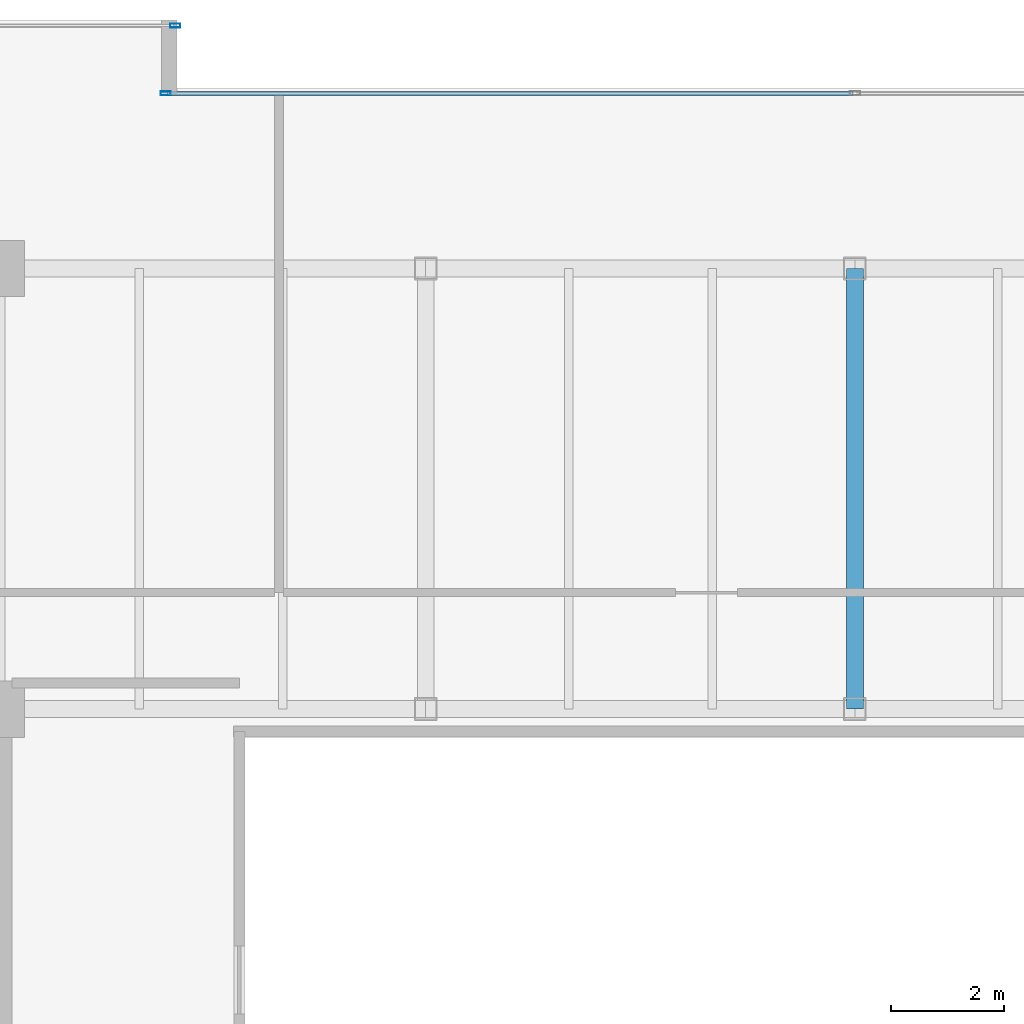
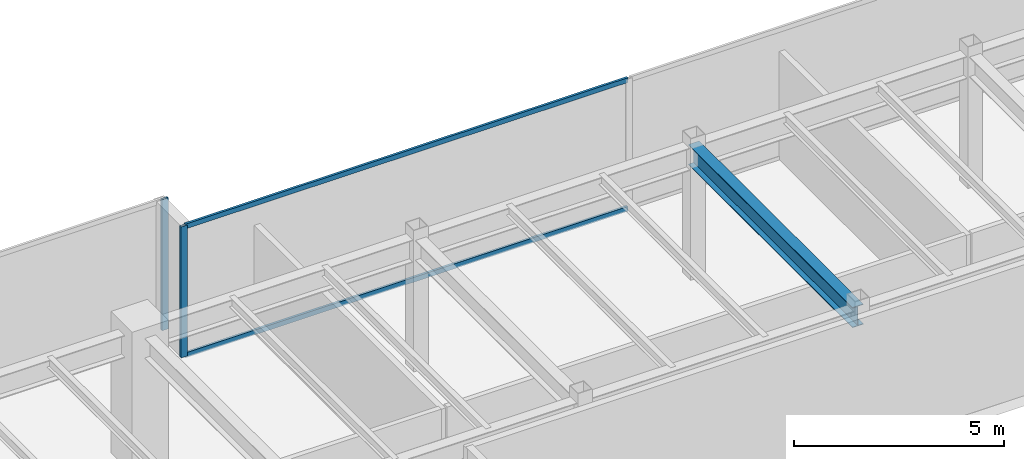
# One storey, part 17 of 33: 4 members, 1 beam, 2 elements without a shape of their own.
"""IFC4 building model written with IfcOpenShell, lengths in metres."""

from ifc_helpers import new_model, si_unit, direction, frame, origin, origin_2d, place, context, subcontext, project, spatial, hollow_rectangle, i_section, extrude, source, transform, mapped, material, layer, layer_set, material_profile, profile_set, type_object, type_shapes, element, aggregate, save


model = new_model("IFC4")

# Units and contexts
model_context = context("Model", 3, precision=1e-05, world=origin(), true_north=direction((0.0, 1.0)))
body_context = subcontext(model_context, "Body", "Model", "MODEL_VIEW")
ifc_project = project(units=[si_unit("LENGTHUNIT", "METRE"), si_unit("AREAUNIT", "SQUARE_METRE"), si_unit("VOLUMEUNIT", "CUBIC_METRE"), si_unit("PLANEANGLEUNIT", "RADIAN"), si_unit("MASSUNIT", "GRAM", prefix="KILO")], contexts=[model_context])

# Site, building, storey
site_placement = place(None, origin())
site = spatial("IfcSite", under=ifc_project, at=site_placement, CompositionType="ELEMENT")
building_placement = place(site_placement, origin())
building = spatial("IfcBuilding", under=site, at=building_placement, Name="Haelvirn Gate Laboratories", CompositionType="ELEMENT")
storey_placement = place(building_placement, frame((0.0, 0.0, 213.699951171875)))
storey = spatial("IfcBuildingStorey", under=building, at=storey_placement, Name="L51", CompositionType="ELEMENT", Elevation=213.699951171875)

# Beam
ifc_material_1 = material(Name="Steel SM355", Category="steel")
ifc_material_profile_1 = material_profile(ifc_material_1, i_section(OverallWidth=0.300048828125, OverallDepth=0.587890625, WebThickness=0.011962890625, FlangeThickness=0.02001953125, at=origin_2d()), Name="H-588x300x12x20")
ifc_profile_set_1 = profile_set([ifc_material_profile_1], Name="Steel SM355")
beam_type = type_object("IfcBeamType", Name="BM-G-588", PredefinedType="BEAM", material=ifc_profile_set_1)
shared_shape_1 = source(origin(), body_context, "Body", "SweptSolid", [
    extrude(i_section(OverallWidth=0.300048828125, OverallDepth=0.587890625, WebThickness=0.011962890625, FlangeThickness=0.02001953125, at=origin_2d()), origin(), (0.0, 0.0, 1.0), 7.800048828125),
])
type_shapes(beam_type, [shared_shape_1])
beam_placement = place(storey_placement, frame((37.39990234375, 33.800048828125, 3.506103515625), z_axis=(0.0, 1.0, 0.0), x_axis=(-1.0, 0.0, 0.0)))
element("IfcBeam", 1, at=beam_placement, inside=storey, type_object=beam_type, Name="L51 Frame Girder X37.4 (33.8-41.6)", PredefinedType="BEAM", context=body_context, shape_type="MappedRepresentation", body=[
    mapped(shared_shape_1, transform((0.0, 0.0, 0.0), scale=1.0)),
])

# Curtain wall, members
ifc_material_2 = material(Name="Anodised bronze unitised aluminium & triple low-E glass", Category="aluminium")
ifc_layer = layer(ifc_material_2, 0.176025390625, Name="CW-SYS-4")
ifc_layer_set = layer_set([ifc_layer], Name="Anodised bronze unitised aluminium & triple low-E glass")
curtain_wall_type = type_object("IfcCurtainWallType", Name="CW-SYS-4", PredefinedType="NOTDEFINED", material=ifc_layer_set)
curtain_wall_1_placement = place(storey_placement, origin())
curtain_wall_1 = element("IfcCurtainWall", 2, at=curtain_wall_1_placement, inside=storey, type_object=curtain_wall_type, Name="L51 Unitised Curtain Wall CW-L51-P0-E12-1", PredefinedType="NOTDEFINED")
ifc_material_3 = material(Name="Extruded aluminium 6063-T6 (anodised bronze)", Category="aluminium")
ifc_material_profile_2 = material_profile(ifc_material_3, hollow_rectangle(XDim=0.06494140625, YDim=0.139892578125, WallThickness=0.00390625, at=origin_2d()), Name="CWT-140x65x4")
ifc_profile_set_2 = profile_set([ifc_material_profile_2], Name="Extruded aluminium 6063-T6 (anodised bronze)")
member_type_1 = type_object("IfcMemberType", Name="CWT-T140", PredefinedType="USERDEFINED", material=ifc_profile_set_2)
shared_shape_2 = source(origin(), body_context, "Body", "SweptSolid", [
    extrude(hollow_rectangle(XDim=0.06494140625, YDim=0.139892578125, WallThickness=0.00390625, at=origin_2d()), origin(), (0.0, 0.0, 1.0), 12.135009765625),
])
type_shapes(member_type_1, [shared_shape_2])
member_1_placement = place(storey_placement, frame((25.22998046875, 44.699951171875, 0.032470703125), z_axis=(1.0, 0.0, 0.0), x_axis=(0.0, 1.0, 0.0)))
member_1 = element("IfcMember", 3, at=member_1_placement, type_object=member_type_1, Name="CW4 transom 1.1", ObjectType="TRANSOM", PredefinedType="USERDEFINED", context=body_context, shape_type="MappedRepresentation", body=[
    mapped(shared_shape_2, transform((0.0, 0.0, 0.0), scale=1.0)),
])
member_2_placement = place(storey_placement, frame((25.22998046875, 44.699951171875, 3.767578125), z_axis=(1.0, 0.0, 0.0), x_axis=(0.0, 1.0, 0.0)))
member_2 = element("IfcMember", 4, at=member_2_placement, type_object=member_type_1, Name="CW4 transom 1.2", ObjectType="TRANSOM", PredefinedType="USERDEFINED", context=body_context, shape_type="MappedRepresentation", body=[
    mapped(shared_shape_2, transform((0.0, 0.0, 0.0), scale=1.0)),
])
ifc_material_profile_3 = material_profile(ifc_material_3, hollow_rectangle(XDim=0.070068359375, YDim=0.179931640625, WallThickness=0.0048828125, at=origin_2d()), Name="CWM-180x70x5")
ifc_profile_set_3 = profile_set([ifc_material_profile_3], Name="Extruded aluminium 6063-T6 (anodised bronze)")
member_type_2 = type_object("IfcMemberType", Name="CWM-T180", PredefinedType="MULLION", material=ifc_profile_set_3)
shared_shape_3 = source(origin(), body_context, "Body", "SweptSolid", [
    extrude(hollow_rectangle(XDim=0.070068359375, YDim=0.179931640625, WallThickness=0.0048828125, at=origin_2d()), origin(), (0.0, 0.0, 1.0), 3.800048828125),
])
type_shapes(member_type_2, [shared_shape_3])
member_3_placement = place(storey_placement, frame((25.195068359375, 44.699951171875, 0.0), z_axis=(0.0, 0.0, 1.0), x_axis=(0.0, 1.0, 0.0)))
member_3 = element("IfcMember", 5, at=member_3_placement, type_object=member_type_2, Name="CW4 mullion 1", PredefinedType="MULLION", context=body_context, shape_type="MappedRepresentation", body=[
    mapped(shared_shape_3, transform((0.0, 0.0, 0.0), scale=1.0)),
])
aggregate(curtain_wall_1, [member_3, member_1, member_2])

# Curtain wall, member
curtain_wall_2_placement = place(storey_placement, origin())
curtain_wall_2 = element("IfcCurtainWall", 6, at=curtain_wall_2_placement, inside=storey, type_object=curtain_wall_type, Name="L51 Unitised Curtain Wall CW-L51-P0-E14-1", PredefinedType="NOTDEFINED")
member_4_placement = place(storey_placement, frame((25.364990234375, 45.89990234375, 0.0), z_axis=(0.0, 0.0, 1.0), x_axis=(0.0, 1.0, 0.0)))
member_4 = element("IfcMember", 7, at=member_4_placement, type_object=member_type_2, Name="CW4 mullion 3", PredefinedType="MULLION", context=body_context, shape_type="MappedRepresentation", body=[
    mapped(shared_shape_3, transform((0.0, 0.0, 0.0), scale=1.0)),
])
aggregate(curtain_wall_2, [member_4])

save(model, "model.ifc")
